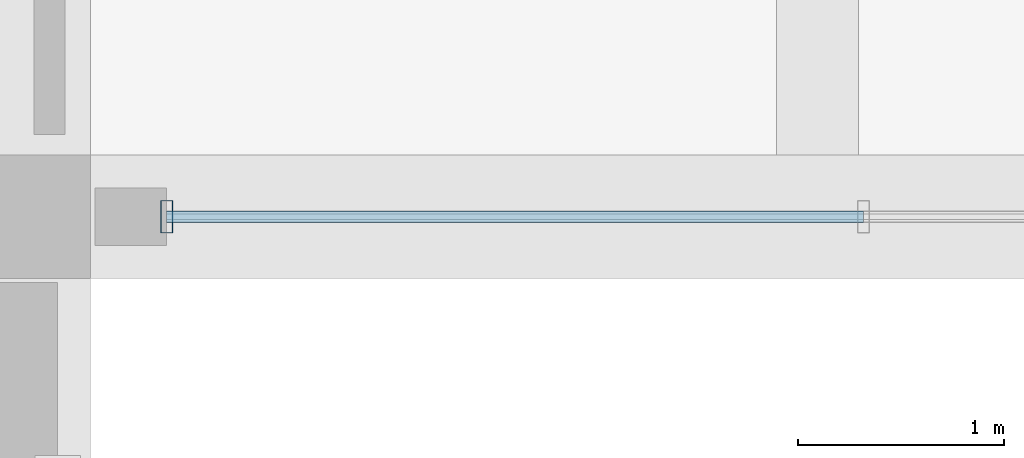
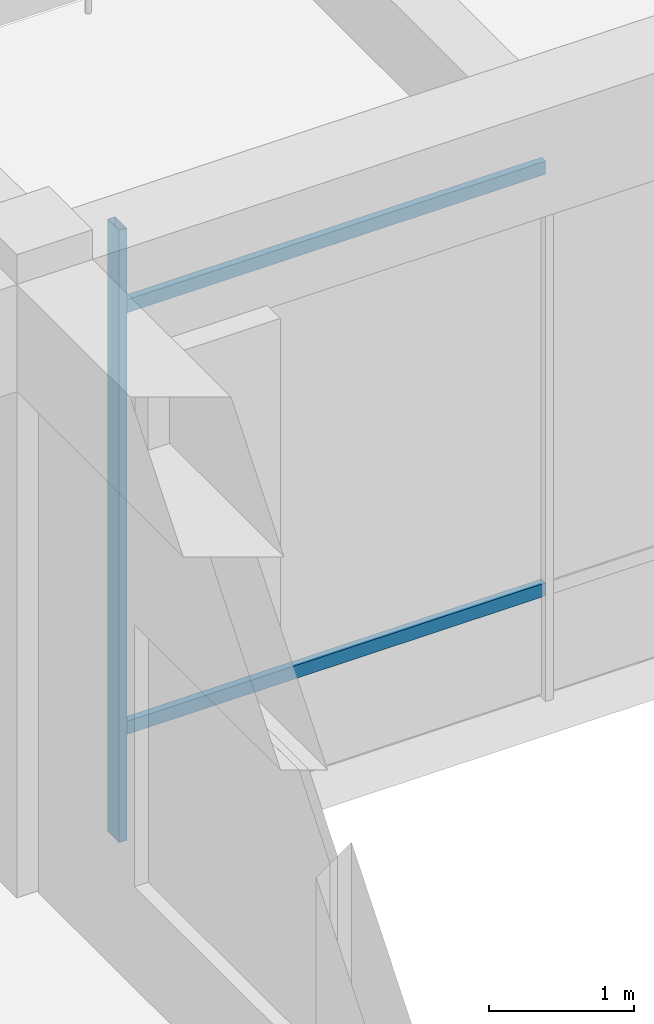
# One storey, part 7 of 148: 3 members, 1 element without a shape of its own.
"""IFC4 building model written with IfcOpenShell, lengths in metres."""

from ifc_helpers import new_model, si_unit, direction, frame, origin, origin_2d, place, context, subcontext, project, spatial, hollow_rectangle, extrude, material, material_profile, profile_set, type_object, element, aggregate, save


model = new_model("IFC4")

# Units and contexts
model_context = context("Model", 3, precision=1e-05, world=origin(), true_north=direction((0.0, 1.0)))
body_context = subcontext(model_context, "Body", "Model", "MODEL_VIEW")
ifc_project = project(units=[si_unit("LENGTHUNIT", "METRE"), si_unit("AREAUNIT", "SQUARE_METRE"), si_unit("VOLUMEUNIT", "CUBIC_METRE"), si_unit("PLANEANGLEUNIT", "RADIAN"), si_unit("MASSUNIT", "GRAM", prefix="KILO")], contexts=[model_context])

# Site, building, storey
site_placement = place(None, origin())
site = spatial("IfcSite", under=ifc_project, at=site_placement, CompositionType="ELEMENT")
building_placement = place(site_placement, origin())
building = spatial("IfcBuilding", under=site, at=building_placement, Name="Ologun Quay Terminus", CompositionType="ELEMENT")
storey_placement = place(building_placement, frame((0.0, 0.0, 8.39990234375)))
storey = spatial("IfcBuildingStorey", under=building, at=storey_placement, Name="L02", CompositionType="ELEMENT", Elevation=8.39990234375)

# Curtain wall, members
ifc_material_1 = material(Name="Aluminium 6063-T6", Category="aluminium")
curtain_wall_type = type_object("IfcCurtainWallType", Name="Concourse Departure Curtain Wall 10700x4950", PredefinedType="USERDEFINED", material=ifc_material_1)
curtain_wall_placement = place(storey_placement, origin())
curtain_wall = element("IfcCurtainWall", 1, at=curtain_wall_placement, inside=storey, type_object=curtain_wall_type, Name="CW-05 Curtain Wall CW-L02-020", ObjectType="UNITISED CURTAIN WALL", PredefinedType="USERDEFINED")
ifc_material_2 = material(Name="Aluminium 6063-T6", Category="aluminium")
ifc_material_profile_1 = material_profile(ifc_material_2, hollow_rectangle(XDim=0.06005859375, YDim=0.159912109375, WallThickness=0.00390625, at=origin_2d()), Name="ALU 160x60x4")
ifc_profile_set_1 = profile_set([ifc_material_profile_1], Name="Aluminium 6063-T6")
member_type_1 = type_object("IfcMemberType", Name="Curtain Wall Standard Mullion 160x65", PredefinedType="MULLION", material=ifc_profile_set_1)
member_1_placement = place(storey_placement, frame((12.169921875, 27.199951171875, 0.0), z_axis=(0.0, 0.0, 1.0), x_axis=(1.0, 0.0, 0.0)))
member_1 = element("IfcMember", 2, at=member_1_placement, type_object=member_type_1, Name="CW-L02-020 Mullion 1", PredefinedType="MULLION", context=body_context, shape_type="SweptSolid", body=[
    extrude(hollow_rectangle(XDim=0.06005859375, YDim=0.159912109375, WallThickness=0.00390625, at=origin_2d()), origin(), (0.0, 0.0, 1.0), 5.14013671875),
])
ifc_material_3 = material(Name="Aluminium 6063-T6", Category="aluminium")
ifc_material_profile_2 = material_profile(ifc_material_3, hollow_rectangle(XDim=0.054931640625, YDim=0.110107421875, WallThickness=0.00390625, at=origin_2d()), Name="ALU 110x55x4")
ifc_profile_set_2 = profile_set([ifc_material_profile_2], Name="Aluminium 6063-T6")
member_type_2 = type_object("IfcMemberType", Name="Curtain Wall Standard Transom 110x55", PredefinedType="USERDEFINED", material=ifc_profile_set_2)
member_2_placement = place(storey_placement, frame((12.169921875, 27.199951171875, 0.900146484375), z_axis=(1.0, 0.0, 0.0), x_axis=(0.0, 1.0, 0.0)))
member_2 = element("IfcMember", 3, at=member_2_placement, type_object=member_type_2, Name="CW-L02-020 Transom B1-1", ObjectType="TRANSOM", PredefinedType="USERDEFINED", context=body_context, shape_type="SweptSolid", body=[
    extrude(hollow_rectangle(XDim=0.054931640625, YDim=0.110107421875, WallThickness=0.00390625, at=origin_2d()), origin(), (0.0, 0.0, 1.0), 3.38671875),
])
member_3_placement = place(storey_placement, frame((12.169921875, 27.199951171875, 4.440185546875), z_axis=(1.0, 0.0, 0.0), x_axis=(0.0, 1.0, 0.0)))
member_3 = element("IfcMember", 4, at=member_3_placement, type_object=member_type_2, Name="CW-L02-020 Transom B1-2", ObjectType="TRANSOM", PredefinedType="USERDEFINED", context=body_context, shape_type="SweptSolid", body=[
    extrude(hollow_rectangle(XDim=0.054931640625, YDim=0.110107421875, WallThickness=0.00390625, at=origin_2d()), origin(), (0.0, 0.0, 1.0), 3.38671875),
])
aggregate(curtain_wall, [member_1, member_2, member_3])

save(model, "model.ifc")
